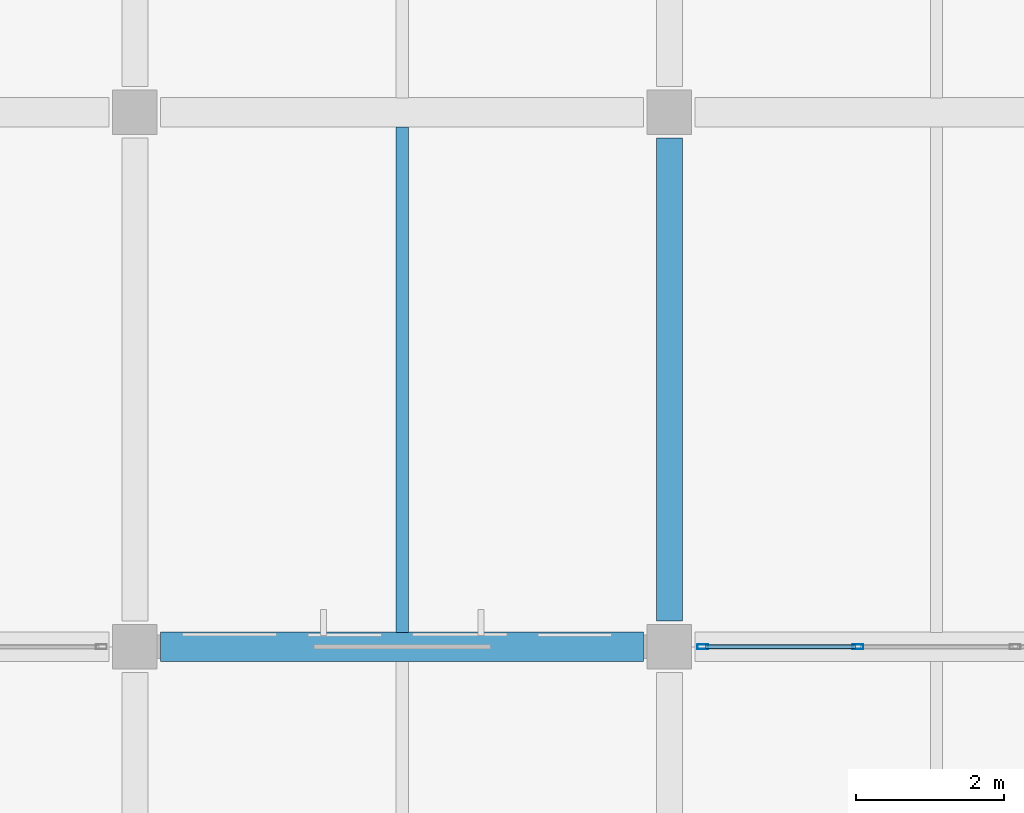
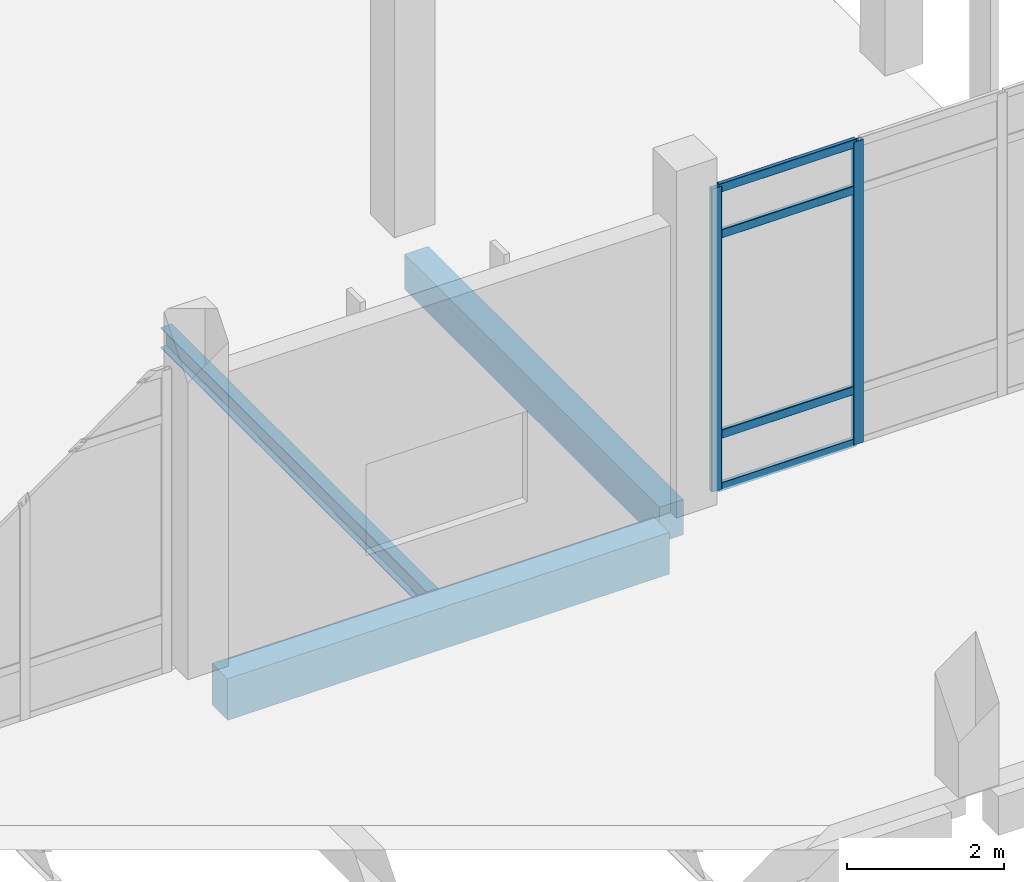
# One storey, part 122 of 180: 6 members, 3 beams, 1 element without a shape of its own.
"""IFC4 building model written with IfcOpenShell, lengths in metres."""

from ifc_helpers import new_model, si_unit, direction, frame, origin, origin_2d, place, context, subcontext, project, spatial, rectangle, hollow_rectangle, i_section, extrude, material, material_profile, profile_set, type_object, element, aggregate, save


model = new_model("IFC4")

# Units and contexts
model_context = context("Model", 3, precision=1e-05, world=origin(), true_north=direction((0.0, 1.0)))
body_context = subcontext(model_context, "Body", "Model", "MODEL_VIEW")
ifc_project = project(units=[si_unit("LENGTHUNIT", "METRE"), si_unit("AREAUNIT", "SQUARE_METRE"), si_unit("VOLUMEUNIT", "CUBIC_METRE"), si_unit("PLANEANGLEUNIT", "RADIAN"), si_unit("MASSUNIT", "GRAM", prefix="KILO")], contexts=[model_context])

# Site, building, storey
site_placement = place(None, origin())
site = spatial("IfcSite", under=ifc_project, at=site_placement, CompositionType="ELEMENT")
building_placement = place(site_placement, origin())
building = spatial("IfcBuilding", under=site, at=building_placement, Name="Lusvemor Sports Hall", CompositionType="ELEMENT")
storey_placement = place(building_placement, frame((0.0, 0.0, 5.39990234375)))
storey = spatial("IfcBuildingStorey", under=building, at=storey_placement, Name="L01", CompositionType="ELEMENT", Elevation=5.39990234375)

# Beams
ifc_material_1 = material(Name="Concrete C40/50", Category="concrete")
ifc_material_profile_1 = material_profile(ifc_material_1, rectangle(XDim=0.35009765625, YDim=0.550048828125, at=origin_2d()), Name="RC350x550")
ifc_profile_set_1 = profile_set([ifc_material_profile_1], Name="Concrete C40/50")
beam_type_1 = type_object("IfcBeamType", Name="BEAM_RC_550", PredefinedType="BEAM", material=ifc_profile_set_1)
beam_1_placement = place(storey_placement, frame((162.0, 83.14599609375, -0.544921875), z_axis=(0.0, 1.0, 0.0), x_axis=(-1.0, 0.0, 0.0)))
element("IfcBeam", 1, at=beam_1_placement, inside=storey, type_object=beam_type_1, Name="Beam L01 19:L-M", PredefinedType="BEAM", context=body_context, shape_type="SweptSolid", body=[
    extrude(rectangle(XDim=0.35009765625, YDim=0.550048828125, at=origin_2d()), origin(), (0.0, 0.0, 1.0), 6.508056640625),
])
ifc_material_2 = material(Name="Concrete C40/50", Category="concrete")
ifc_material_profile_2 = material_profile(ifc_material_2, rectangle(XDim=0.39990234375, YDim=0.64990234375, at=origin_2d()), Name="RC400x650")
ifc_profile_set_2 = profile_set([ifc_material_profile_2], Name="Concrete C40/50")
beam_type_2 = type_object("IfcBeamType", Name="BEAM_RC_650", PredefinedType="BEAM", material=ifc_profile_set_2)
beam_2_placement = place(storey_placement, frame((155.14599609375, 82.800048828125, -0.594970703125), z_axis=(1.0, 0.0, 0.0), x_axis=(0.0, 1.0, 0.0)))
element("IfcBeam", 2, at=beam_2_placement, inside=storey, type_object=beam_type_2, Name="Beam L01 L:18-19", PredefinedType="BEAM", context=body_context, shape_type="SweptSolid", body=[
    extrude(rectangle(XDim=0.39990234375, YDim=0.64990234375, at=origin_2d()), origin(), (0.0, 0.0, 1.0), 6.508056640625),
])

# Curtain wall, members
ifc_material_3 = material(Name="Thermally broken bronze-anodized aluminium", Category="aluminium")
curtain_wall_type = type_object("IfcCurtainWallType", Name="CW_WING_B", PredefinedType="NOTDEFINED", material=ifc_material_3)
curtain_wall_placement = place(storey_placement, origin())
curtain_wall = element("IfcCurtainWall", 3, at=curtain_wall_placement, inside=storey, type_object=curtain_wall_type, Name="Curtain Wall CW-L01-N-5-4", PredefinedType="NOTDEFINED")
ifc_material_4 = material(Name="Thermally broken bronze-anodized aluminium", Category="aluminium")
ifc_material_profile_3 = material_profile(ifc_material_4, hollow_rectangle(XDim=0.06494140625, YDim=0.14990234375, WallThickness=0.00390625, InnerFilletRadius=0.00390625, OuterFilletRadius=0.008056640625, at=origin_2d()), Name="CWMUL150x65x4")
ifc_profile_set_3 = profile_set([ifc_material_profile_3], Name="Thermally broken bronze-anodized aluminium")
member_type_1 = type_object("IfcMemberType", Name="CW_MUL_B", PredefinedType="MULLION", material=ifc_profile_set_3)
member_1_placement = place(storey_placement, frame((162.452392578125, 82.800048828125, 0.0), z_axis=(0.0, 0.0, 1.0), x_axis=(0.0, 1.0, 0.0)))
member_1 = element("IfcMember", 4, at=member_1_placement, type_object=member_type_1, Name="CW02 mullion 1", PredefinedType="MULLION", context=body_context, shape_type="SweptSolid", body=[
    extrude(hollow_rectangle(XDim=0.06494140625, YDim=0.14990234375, WallThickness=0.00390625, InnerFilletRadius=0.00390625, OuterFilletRadius=0.008056640625, at=origin_2d()), origin(), (0.0, 0.0, 1.0), 4.72021484375),
])
member_2_placement = place(storey_placement, frame((164.5400390625, 82.800048828125, 0.0), z_axis=(0.0, 0.0, 1.0), x_axis=(0.0, 1.0, 0.0)))
member_2 = element("IfcMember", 5, at=member_2_placement, type_object=member_type_1, Name="CW02 mullion 2", PredefinedType="MULLION", context=body_context, shape_type="SweptSolid", body=[
    extrude(hollow_rectangle(XDim=0.06494140625, YDim=0.14990234375, WallThickness=0.00390625, InnerFilletRadius=0.00390625, OuterFilletRadius=0.008056640625, at=origin_2d()), origin(), (0.0, 0.0, 1.0), 4.72021484375),
])
ifc_material_5 = material(Name="Thermally broken bronze-anodized aluminium", Category="aluminium")
ifc_material_profile_4 = material_profile(ifc_material_5, hollow_rectangle(XDim=0.06005859375, YDim=0.135009765625, WallThickness=0.00390625, InnerFilletRadius=0.00390625, OuterFilletRadius=0.008056640625, at=origin_2d()), Name="CWTRN135x60x4")
ifc_profile_set_4 = profile_set([ifc_material_profile_4], Name="Thermally broken bronze-anodized aluminium")
member_type_2 = type_object("IfcMemberType", Name="CW_TRN_B", PredefinedType="USERDEFINED", material=ifc_profile_set_4)
member_3_placement = place(storey_placement, frame((162.485107421875, 82.800048828125, 0.030029296875), z_axis=(1.0, 0.0, 0.0), x_axis=(0.0, 1.0, 0.0)))
member_3 = element("IfcMember", 6, at=member_3_placement, type_object=member_type_2, Name="CW02 transom 1.1", ObjectType="TRANSOM", PredefinedType="USERDEFINED", context=body_context, shape_type="SweptSolid", body=[
    extrude(hollow_rectangle(XDim=0.06005859375, YDim=0.135009765625, WallThickness=0.00390625, InnerFilletRadius=0.00390625, OuterFilletRadius=0.008056640625, at=origin_2d()), origin(), (0.0, 0.0, 1.0), 2.0224609375),
])
member_4_placement = place(storey_placement, frame((162.485107421875, 82.800048828125, 0.85009765625), z_axis=(1.0, 0.0, 0.0), x_axis=(0.0, 1.0, 0.0)))
member_4 = element("IfcMember", 7, at=member_4_placement, type_object=member_type_2, Name="CW02 transom 1.2", ObjectType="TRANSOM", PredefinedType="USERDEFINED", context=body_context, shape_type="SweptSolid", body=[
    extrude(hollow_rectangle(XDim=0.06005859375, YDim=0.135009765625, WallThickness=0.00390625, InnerFilletRadius=0.00390625, OuterFilletRadius=0.008056640625, at=origin_2d()), origin(), (0.0, 0.0, 1.0), 2.0224609375),
])
member_5_placement = place(storey_placement, frame((162.485107421875, 82.800048828125, 3.97021484375), z_axis=(1.0, 0.0, 0.0), x_axis=(0.0, 1.0, 0.0)))
member_5 = element("IfcMember", 8, at=member_5_placement, type_object=member_type_2, Name="CW02 transom 1.3", ObjectType="TRANSOM", PredefinedType="USERDEFINED", context=body_context, shape_type="SweptSolid", body=[
    extrude(hollow_rectangle(XDim=0.06005859375, YDim=0.135009765625, WallThickness=0.00390625, InnerFilletRadius=0.00390625, OuterFilletRadius=0.008056640625, at=origin_2d()), origin(), (0.0, 0.0, 1.0), 2.0224609375),
])
member_6_placement = place(storey_placement, frame((162.485107421875, 82.800048828125, 4.690185546875), z_axis=(1.0, 0.0, 0.0), x_axis=(0.0, 1.0, 0.0)))
member_6 = element("IfcMember", 9, at=member_6_placement, type_object=member_type_2, Name="CW02 transom 1.4", ObjectType="TRANSOM", PredefinedType="USERDEFINED", context=body_context, shape_type="SweptSolid", body=[
    extrude(hollow_rectangle(XDim=0.06005859375, YDim=0.135009765625, WallThickness=0.00390625, InnerFilletRadius=0.00390625, OuterFilletRadius=0.008056640625, at=origin_2d()), origin(), (0.0, 0.0, 1.0), 2.0224609375),
])
aggregate(curtain_wall, [member_1, member_2, member_3, member_4, member_5, member_6])

# Beam
ifc_material_6 = material(Name="Steel S355", Category="steel")
ifc_material_profile_5 = material_profile(ifc_material_6, i_section(OverallWidth=0.1669921875, OverallDepth=0.31689453125, WebThickness=0.007568359375, FlangeThickness=0.01318359375, FilletRadius=0.014892578125, at=origin_2d()), Name="W310x52.0")
ifc_profile_set_5 = profile_set([ifc_material_profile_5], Name="Steel S355")
beam_type_3 = type_object("IfcBeamType", Name="JOIST_ST_310M", PredefinedType="JOIST", material=ifc_profile_set_5)
beam_3_placement = place(storey_placement, frame((158.39990234375, 82.99609375, -0.432373046875), z_axis=(0.0, 1.0, 0.0), x_axis=(-1.0, 0.0, 0.0)))
element("IfcBeam", 10, at=beam_3_placement, inside=storey, type_object=beam_type_3, Name="Secondary Joist L01 18-19/L-M #1", PredefinedType="JOIST", context=body_context, shape_type="SweptSolid", body=[
    extrude(i_section(OverallWidth=0.1669921875, OverallDepth=0.31689453125, WebThickness=0.007568359375, FlangeThickness=0.01318359375, FilletRadius=0.014892578125, at=origin_2d()), origin(), (0.0, 0.0, 1.0), 6.807861328125),
])

save(model, "model.ifc")
